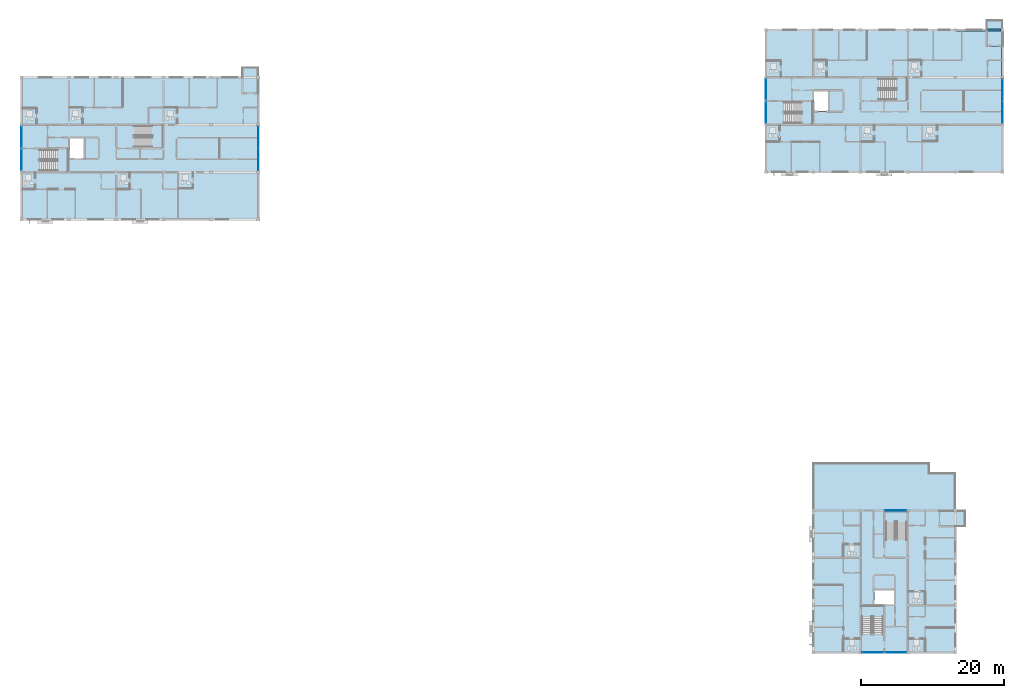
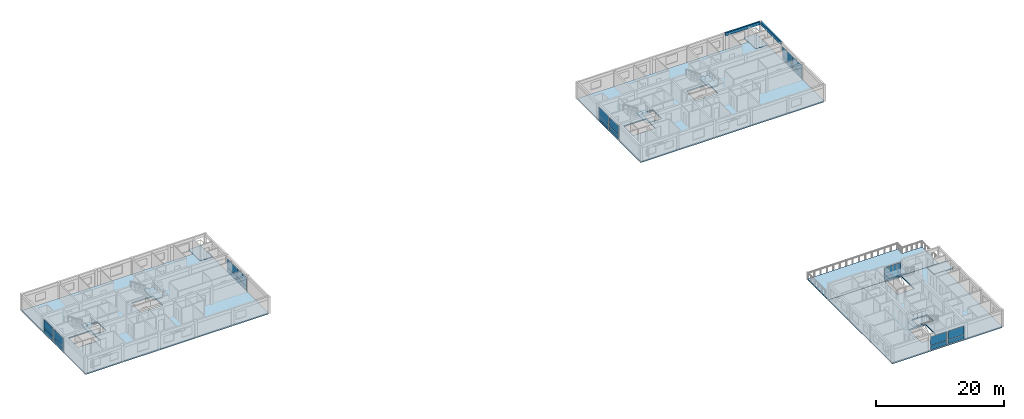
# One storey, part 15 of 37: 22 plates, 13 slabs, 2 beams, 15 elements without a shape of their own.
"""IFC4 building model written with IfcOpenShell, lengths in metres."""

from ifc_helpers import new_model, si_unit, direction, frame, origin, origin_2d, place, context, subcontext, project, spatial, polyline, rectangle, outline, extrude, material, layer, layer_set, material_profile, profile_set, type_object, element, aggregate, save


model = new_model("IFC4")

# Units and contexts
model_context = context("Model", 3, precision=1e-05, world=origin(), true_north=direction((0.0, 1.0)))
body_context = subcontext(model_context, "Body", "Model", "MODEL_VIEW")
ifc_project = project(units=[si_unit("LENGTHUNIT", "METRE"), si_unit("AREAUNIT", "SQUARE_METRE"), si_unit("VOLUMEUNIT", "CUBIC_METRE"), si_unit("PLANEANGLEUNIT", "RADIAN"), si_unit("MASSUNIT", "GRAM", prefix="KILO")], contexts=[model_context])

# Site, building, storey
site_placement = place(None, origin())
site = spatial("IfcSite", under=ifc_project, at=site_placement, CompositionType="ELEMENT")
building_placement = place(site_placement, origin())
building = spatial("IfcBuilding", under=site, at=building_placement, Name="Kernevlak Ridge Housing Community", CompositionType="ELEMENT")
storey_placement = place(building_placement, frame((0.0, 0.0, 37.199951171875)))
storey = spatial("IfcBuildingStorey", under=building, at=storey_placement, Name="L11", CompositionType="ELEMENT", Elevation=37.199951171875)

# Beams
ifc_material_1 = material(Name="Concrete C35/45", Category="concrete")
ifc_material_profile = material_profile(ifc_material_1, rectangle(XDim=0.300048828125, YDim=0.550048828125, at=origin_2d()), Name="RC 300x550")
ifc_profile_set = profile_set([ifc_material_profile], Name="Concrete C35/45")
beam_type = type_object("IfcBeamType", Name="SP-01", PredefinedType="SPANDREL", material=ifc_profile_set)
for number, where, z_axis, x_axis, name in (
    (1, (146.0, 102.39990234375, 2.925048828125), (1.0, 0.0, 0.0), (0.0, 1.0, 0.0), "Beam SP-01 L11 882"),
    (2, (152.39990234375, 96.0, 2.925048828125), (0.0, 1.0, 0.0), (-1.0, 0.0, 0.0), "Beam SP-01 L11 888"),
):
    element("IfcBeam", number, at=place(storey_placement, frame(where, z_axis=z_axis, x_axis=x_axis)), inside=storey, type_object=beam_type, Name=name, PredefinedType="SPANDREL", context=body_context, shape_type="SweptSolid", body=[
        extrude(rectangle(XDim=0.300048828125, YDim=0.550048828125, at=origin_2d()), origin(), (0.0, 0.0, 1.0), 6.199951171875),
    ])

# Curtain wall, plates
ifc_material_2 = material(Name="Aluminium EN AW-6060 anodised and laminated glass", Category="aluminium")
curtain_wall_type_1 = type_object("IfcCurtainWallType", Name="CW-11", PredefinedType="NOTDEFINED", material=ifc_material_2)
curtain_wall_1_placement = place(storey_placement, origin())
curtain_wall_1 = element("IfcCurtainWall", 3, at=curtain_wall_1_placement, inside=storey, type_object=curtain_wall_type_1, Name="Curtain wall CW-11 CW-L11-090", PredefinedType="NOTDEFINED")
ifc_material_3 = material(Name="Aluminium EN AW-5005 enamelled panel", Category="aluminium")
ifc_layer_1 = layer(ifc_material_3, 0.033935546875, Name="Aluminium EN AW-5005 enamelled panel")
ifc_layer_set_1 = layer_set([ifc_layer_1], Name="Aluminium EN AW-5005 enamelled panel")
plate_type_1 = type_object("IfcPlateType", Name="CP-03", PredefinedType="CURTAIN_PANEL", material=ifc_layer_set_1)
plate_1_placement = place(storey_placement, frame((152.39990234375, 90.9638671875, 0.054931640625), z_axis=(0.0, 0.0, 1.0), x_axis=(0.0, 1.0, 0.0)))
plate_1 = element("IfcPlate", 4, at=plate_1_placement, type_object=plate_type_1, Name="CW-11 panel 1.1", PredefinedType="CURTAIN_PANEL", context=body_context, shape_type="SweptSolid", body=[
    extrude(rectangle(XDim=3.017578125, YDim=0.033935546875, at=origin_2d()), origin(), (0.0, 0.0, 1.0), 0.767578125),
])
plate_2_placement = place(storey_placement, frame((152.39990234375, 94.0361328125, 0.054931640625), z_axis=(0.0, 0.0, 1.0), x_axis=(0.0, 1.0, 0.0)))
plate_2 = element("IfcPlate", 5, at=plate_2_placement, type_object=plate_type_1, Name="CW-11 panel 2.1", PredefinedType="CURTAIN_PANEL", context=body_context, shape_type="SweptSolid", body=[
    extrude(rectangle(XDim=3.017578125, YDim=0.033935546875, at=origin_2d()), origin(), (0.0, 0.0, 1.0), 0.767578125),
])

# Curtain wall, plate
curtain_wall_type_2 = type_object("IfcCurtainWallType", Name="CW-12", PredefinedType="NOTDEFINED", material=ifc_material_2)
curtain_wall_2_placement = place(storey_placement, origin())
curtain_wall_2 = element("IfcCurtainWall", 6, at=curtain_wall_2_placement, inside=storey, type_object=curtain_wall_type_2, Name="Curtain wall CW-12 CW-L11-134", PredefinedType="NOTDEFINED")
plate_3_placement = place(storey_placement, frame((137.5048828125, 15.60009765625, 0.065185546875), z_axis=(0.0, 0.0, 1.0), x_axis=(1.0, 0.0, 0.0)))
plate_3 = element("IfcPlate", 7, at=plate_3_placement, type_object=plate_type_1, Name="CW-12 panel 1.1", PredefinedType="CURTAIN_PANEL", context=body_context, shape_type="SweptSolid", body=[
    extrude(rectangle(XDim=2.860107421875, YDim=0.033935546875, at=origin_2d()), origin(), (0.0, 0.0, 1.0), 0.75244140625),
])

curtain_wall_type_3 = type_object("IfcCurtainWallType", Name="CW-01", PredefinedType="NOTDEFINED", material=ifc_material_2)
curtain_wall_3_placement = place(storey_placement, origin())
curtain_wall_3 = element("IfcCurtainWall", 8, at=curtain_wall_3_placement, inside=storey, type_object=curtain_wall_type_3, Name="Curtain wall CW-01 CW-L11-034", PredefinedType="NOTDEFINED")
ifc_layer_2 = layer(ifc_material_3, 0.0419921875, Name="Aluminium EN AW-5005 enamelled panel")
ifc_layer_set_2 = layer_set([ifc_layer_2], Name="Aluminium EN AW-5005 enamelled panel")
plate_type_2 = type_object("IfcPlateType", Name="CP-05", PredefinedType="CURTAIN_PANEL", material=ifc_layer_set_2)
plate_4_placement = place(storey_placement, frame((15.60009765625, 84.3076171875, 0.06005859375), z_axis=(0.0, 0.0, 1.0), x_axis=(0.0, 1.0, 0.0)))
plate_4 = element("IfcPlate", 9, at=plate_4_placement, type_object=plate_type_2, Name="CW-01 panel 1.1", PredefinedType="CURTAIN_PANEL", context=body_context, shape_type="SweptSolid", body=[
    extrude(rectangle(XDim=2.844970703125, YDim=0.0419921875, at=origin_2d()), origin(), (0.0, 0.0, 1.0), 0.760009765625),
])

curtain_wall_type_4 = type_object("IfcCurtainWallType", Name="CW-06", PredefinedType="NOTDEFINED", material=ifc_material_2)
curtain_wall_4_placement = place(storey_placement, origin())
curtain_wall_4 = element("IfcCurtainWall", 10, at=curtain_wall_4_placement, inside=storey, type_object=curtain_wall_type_4, Name="Curtain wall CW-06 CW-L11-035", PredefinedType="NOTDEFINED")
ifc_material_4 = material(Name="Aluminium EN AW-5005 insulated panel", Category="aluminium")
ifc_layer_3 = layer(ifc_material_4, 0.0458984375, Name="Aluminium EN AW-5005 insulated panel")
ifc_layer_set_3 = layer_set([ifc_layer_3], Name="Aluminium EN AW-5005 insulated panel")
plate_type_3 = type_object("IfcPlateType", Name="CP-06", PredefinedType="CURTAIN_PANEL", material=ifc_layer_set_3)
plate_5_placement = place(storey_placement, frame((15.60009765625, 87.492431640625, 0.065185546875), z_axis=(0.0, 0.0, 1.0), x_axis=(0.0, 1.0, 0.0)))
plate_5 = element("IfcPlate", 11, at=plate_5_placement, type_object=plate_type_3, Name="CW-06 panel 1.1", PredefinedType="CURTAIN_PANEL", context=body_context, shape_type="SweptSolid", body=[
    extrude(rectangle(XDim=2.8349609375, YDim=0.0458984375, at=origin_2d()), origin(), (0.0, 0.0, 1.0), 0.75244140625),
])

curtain_wall_type_5 = type_object("IfcCurtainWallType", Name="CW-04", PredefinedType="NOTDEFINED", material=ifc_material_2)
curtain_wall_5_placement = place(storey_placement, origin())
curtain_wall_5 = element("IfcCurtainWall", 12, at=curtain_wall_5_placement, inside=storey, type_object=curtain_wall_type_5, Name="Curtain wall CW-04 CW-L11-088", PredefinedType="NOTDEFINED")
plate_6_placement = place(storey_placement, frame((119.39990234375, 90.89501953125, 0.06005859375), z_axis=(0.0, 0.0, 1.0), x_axis=(0.0, 1.0, 0.0)))
plate_6 = element("IfcPlate", 13, at=plate_6_placement, type_object=plate_type_3, Name="CW-04 panel 1.1", PredefinedType="CURTAIN_PANEL", context=body_context, shape_type="SweptSolid", body=[
    extrude(rectangle(XDim=2.8701171875, YDim=0.0458984375, at=origin_2d()), origin(), (0.0, 0.0, 1.0), 0.760009765625),
])

# Curtain wall, plates
curtain_wall_type_6 = type_object("IfcCurtainWallType", Name="CW-09", PredefinedType="NOTDEFINED", material=ifc_material_2)
curtain_wall_6_placement = place(storey_placement, origin())
curtain_wall_6 = element("IfcCurtainWall", 14, at=curtain_wall_6_placement, inside=storey, type_object=curtain_wall_type_6, Name="Curtain wall CW-09 CW-L11-036", PredefinedType="NOTDEFINED")
ifc_layer_4 = layer(ifc_material_4, 0.050048828125, Name="Aluminium EN AW-5005 insulated panel")
ifc_layer_set_4 = layer_set([ifc_layer_4], Name="Aluminium EN AW-5005 insulated panel")
plate_type_4 = type_object("IfcPlateType", Name="CP-07", PredefinedType="CURTAIN_PANEL", material=ifc_layer_set_4)
plate_7_placement = place(storey_placement, frame((48.60009765625, 84.376220703125, 0.054931640625), z_axis=(0.0, 0.0, 1.0), x_axis=(0.0, 1.0, 0.0)))
plate_7 = element("IfcPlate", 15, at=plate_7_placement, type_object=plate_type_4, Name="CW-09 panel 1.1", PredefinedType="CURTAIN_PANEL", context=body_context, shape_type="SweptSolid", body=[
    extrude(rectangle(XDim=2.992431640625, YDim=0.050048828125, at=origin_2d()), origin(), (0.0, 0.0, 1.0), 0.767578125),
])
plate_8_placement = place(storey_placement, frame((48.60009765625, 87.423828125, 0.054931640625), z_axis=(0.0, 0.0, 1.0), x_axis=(0.0, 1.0, 0.0)))
plate_8 = element("IfcPlate", 16, at=plate_8_placement, type_object=plate_type_4, Name="CW-09 panel 2.1", PredefinedType="CURTAIN_PANEL", context=body_context, shape_type="SweptSolid", body=[
    extrude(rectangle(XDim=2.992431640625, YDim=0.050048828125, at=origin_2d()), origin(), (0.0, 0.0, 1.0), 0.767578125),
])

# Curtain wall, plate
curtain_wall_7_placement = place(storey_placement, origin())
curtain_wall_7 = element("IfcCurtainWall", 17, at=curtain_wall_7_placement, inside=storey, type_object=curtain_wall_type_6, Name="Curtain wall CW-09 CW-L11-089", PredefinedType="NOTDEFINED")
plate_9_placement = place(storey_placement, frame((119.39990234375, 94.10498046875, 0.065185546875), z_axis=(0.0, 0.0, 1.0), x_axis=(0.0, 1.0, 0.0)))
plate_9 = element("IfcPlate", 18, at=plate_9_placement, type_object=plate_type_4, Name="CW-09 panel 1.1", PredefinedType="CURTAIN_PANEL", context=body_context, shape_type="SweptSolid", body=[
    extrude(rectangle(XDim=2.860107421875, YDim=0.050048828125, at=origin_2d()), origin(), (0.0, 0.0, 1.0), 0.75244140625),
])

curtain_wall_type_7 = type_object("IfcCurtainWallType", Name="CW-07", PredefinedType="NOTDEFINED", material=ifc_material_2)
curtain_wall_8_placement = place(storey_placement, origin())
curtain_wall_8 = element("IfcCurtainWall", 19, at=curtain_wall_8_placement, inside=storey, type_object=curtain_wall_type_7, Name="Curtain wall CW-07 CW-L11-133", PredefinedType="NOTDEFINED")
plate_10_placement = place(storey_placement, frame((134.294921875, 15.60009765625, 0.06005859375), z_axis=(0.0, 0.0, 1.0), x_axis=(1.0, 0.0, 0.0)))
plate_10 = element("IfcPlate", 20, at=plate_10_placement, type_object=plate_type_4, Name="CW-07 panel 1.1", PredefinedType="CURTAIN_PANEL", context=body_context, shape_type="SweptSolid", body=[
    extrude(rectangle(XDim=2.8701171875, YDim=0.050048828125, at=origin_2d()), origin(), (0.0, 0.0, 1.0), 0.760009765625),
])

curtain_wall_9_placement = place(storey_placement, origin())
curtain_wall_9 = element("IfcCurtainWall", 21, at=curtain_wall_9_placement, inside=storey, type_object=curtain_wall_type_2, Name="Curtain wall CW-12 CW-L11-135", PredefinedType="NOTDEFINED")
plate_11_placement = place(storey_placement, frame((137.47509765625, 35.39990234375, 0.054931640625), z_axis=(0.0, 0.0, 1.0), x_axis=(1.0, 0.0, 0.0)))
plate_11 = element("IfcPlate", 22, at=plate_11_placement, type_object=plate_type_4, Name="CW-12 panel 1.1", PredefinedType="CURTAIN_PANEL", context=body_context, shape_type="SweptSolid", body=[
    extrude(rectangle(XDim=2.93994140625, YDim=0.050048828125, at=origin_2d()), origin(), (0.0, 0.0, 1.0), 0.767578125),
])

# Plate
ifc_material_5 = material(Name="Low-iron clear staircase glazing panel", Category="glass")
ifc_layer_5 = layer(ifc_material_5, 0.031982421875, Name="Low-iron clear staircase glazing panel")
ifc_layer_set_5 = layer_set([ifc_layer_5], Name="Low-iron clear staircase glazing panel")
plate_type_5 = type_object("IfcPlateType", Name="CP-08", PredefinedType="CURTAIN_PANEL", material=ifc_layer_set_5)
plate_12_placement = place(storey_placement, frame((15.60009765625, 84.3076171875, 0.8798828125), z_axis=(0.0, 0.0, 1.0), x_axis=(0.0, 1.0, 0.0)))
plate_12 = element("IfcPlate", 23, at=plate_12_placement, type_object=plate_type_5, Name="CW-01 panel 1.2", PredefinedType="CURTAIN_PANEL", context=body_context, shape_type="SweptSolid", body=[
    extrude(rectangle(XDim=2.844970703125, YDim=0.031982421875, at=origin_2d()), origin(), (0.0, 0.0, 1.0), 1.659912109375),
])

aggregate(curtain_wall_3, [plate_4, plate_12])

plate_13_placement = place(storey_placement, frame((15.60009765625, 87.492431640625, 0.88232421875), z_axis=(0.0, 0.0, 1.0), x_axis=(0.0, 1.0, 0.0)))
plate_13 = element("IfcPlate", 24, at=plate_13_placement, type_object=plate_type_5, Name="CW-06 panel 1.2", PredefinedType="CURTAIN_PANEL", context=body_context, shape_type="SweptSolid", body=[
    extrude(rectangle(XDim=2.8349609375, YDim=0.031982421875, at=origin_2d()), origin(), (0.0, 0.0, 1.0), 1.652587890625),
])

aggregate(curtain_wall_4, [plate_5, plate_13])

plate_14_placement = place(storey_placement, frame((48.60009765625, 84.376220703125, 0.87744140625), z_axis=(0.0, 0.0, 1.0), x_axis=(0.0, 1.0, 0.0)))
plate_14 = element("IfcPlate", 25, at=plate_14_placement, type_object=plate_type_5, Name="CW-09 panel 1.2", PredefinedType="CURTAIN_PANEL", context=body_context, shape_type="SweptSolid", body=[
    extrude(rectangle(XDim=2.992431640625, YDim=0.031982421875, at=origin_2d()), origin(), (0.0, 0.0, 1.0), 1.66748046875),
])

plate_15_placement = place(storey_placement, frame((48.60009765625, 87.423828125, 0.87744140625), z_axis=(0.0, 0.0, 1.0), x_axis=(0.0, 1.0, 0.0)))
plate_15 = element("IfcPlate", 26, at=plate_15_placement, type_object=plate_type_5, Name="CW-09 panel 2.2", PredefinedType="CURTAIN_PANEL", context=body_context, shape_type="SweptSolid", body=[
    extrude(rectangle(XDim=2.992431640625, YDim=0.031982421875, at=origin_2d()), origin(), (0.0, 0.0, 1.0), 1.66748046875),
])

aggregate(curtain_wall_6, [plate_7, plate_14, plate_8, plate_15])

plate_16_placement = place(storey_placement, frame((119.39990234375, 90.89501953125, 0.8798828125), z_axis=(0.0, 0.0, 1.0), x_axis=(0.0, 1.0, 0.0)))
plate_16 = element("IfcPlate", 27, at=plate_16_placement, type_object=plate_type_5, Name="CW-04 panel 1.2", PredefinedType="CURTAIN_PANEL", context=body_context, shape_type="SweptSolid", body=[
    extrude(rectangle(XDim=2.8701171875, YDim=0.031982421875, at=origin_2d()), origin(), (0.0, 0.0, 1.0), 1.659912109375),
])

aggregate(curtain_wall_5, [plate_6, plate_16])

plate_17_placement = place(storey_placement, frame((119.39990234375, 94.10498046875, 0.88232421875), z_axis=(0.0, 0.0, 1.0), x_axis=(0.0, 1.0, 0.0)))
plate_17 = element("IfcPlate", 28, at=plate_17_placement, type_object=plate_type_5, Name="CW-09 panel 1.2", PredefinedType="CURTAIN_PANEL", context=body_context, shape_type="SweptSolid", body=[
    extrude(rectangle(XDim=2.860107421875, YDim=0.031982421875, at=origin_2d()), origin(), (0.0, 0.0, 1.0), 1.652587890625),
])

aggregate(curtain_wall_7, [plate_9, plate_17])

plate_18_placement = place(storey_placement, frame((152.39990234375, 90.9638671875, 0.87744140625), z_axis=(0.0, 0.0, 1.0), x_axis=(0.0, 1.0, 0.0)))
plate_18 = element("IfcPlate", 29, at=plate_18_placement, type_object=plate_type_5, Name="CW-11 panel 1.2", PredefinedType="CURTAIN_PANEL", context=body_context, shape_type="SweptSolid", body=[
    extrude(rectangle(XDim=3.017578125, YDim=0.031982421875, at=origin_2d()), origin(), (0.0, 0.0, 1.0), 1.66748046875),
])

plate_19_placement = place(storey_placement, frame((152.39990234375, 94.0361328125, 0.87744140625), z_axis=(0.0, 0.0, 1.0), x_axis=(0.0, 1.0, 0.0)))
plate_19 = element("IfcPlate", 30, at=plate_19_placement, type_object=plate_type_5, Name="CW-11 panel 2.2", PredefinedType="CURTAIN_PANEL", context=body_context, shape_type="SweptSolid", body=[
    extrude(rectangle(XDim=3.017578125, YDim=0.031982421875, at=origin_2d()), origin(), (0.0, 0.0, 1.0), 1.66748046875),
])

aggregate(curtain_wall_1, [plate_1, plate_18, plate_2, plate_19])

plate_20_placement = place(storey_placement, frame((134.294921875, 15.60009765625, 0.8798828125), z_axis=(0.0, 0.0, 1.0), x_axis=(1.0, 0.0, 0.0)))
plate_20 = element("IfcPlate", 31, at=plate_20_placement, type_object=plate_type_5, Name="CW-07 panel 1.2", PredefinedType="CURTAIN_PANEL", context=body_context, shape_type="SweptSolid", body=[
    extrude(rectangle(XDim=2.8701171875, YDim=0.031982421875, at=origin_2d()), origin(), (0.0, 0.0, 1.0), 1.659912109375),
])

aggregate(curtain_wall_8, [plate_10, plate_20])

plate_21_placement = place(storey_placement, frame((137.5048828125, 15.60009765625, 0.88232421875), z_axis=(0.0, 0.0, 1.0), x_axis=(1.0, 0.0, 0.0)))
plate_21 = element("IfcPlate", 32, at=plate_21_placement, type_object=plate_type_5, Name="CW-12 panel 1.2", PredefinedType="CURTAIN_PANEL", context=body_context, shape_type="SweptSolid", body=[
    extrude(rectangle(XDim=2.860107421875, YDim=0.031982421875, at=origin_2d()), origin(), (0.0, 0.0, 1.0), 1.652587890625),
])

aggregate(curtain_wall_2, [plate_3, plate_21])

plate_22_placement = place(storey_placement, frame((137.47509765625, 35.39990234375, 0.87744140625), z_axis=(0.0, 0.0, 1.0), x_axis=(1.0, 0.0, 0.0)))
plate_22 = element("IfcPlate", 33, at=plate_22_placement, type_object=plate_type_5, Name="CW-12 panel 1.2", PredefinedType="CURTAIN_PANEL", context=body_context, shape_type="SweptSolid", body=[
    extrude(rectangle(XDim=2.93994140625, YDim=0.031982421875, at=origin_2d()), origin(), (0.0, 0.0, 1.0), 1.66748046875),
])

aggregate(curtain_wall_9, [plate_11, plate_22])

# Slabs
ifc_layer_6 = layer(ifc_material_1, 0.199951171875, Name="Concrete C35/45")
ifc_layer_set_6 = layer_set([ifc_layer_6], Name="Concrete C35/45")
slab_type_1 = type_object("IfcSlabType", Name="SL-05", PredefinedType="FLOOR", material=ifc_layer_set_6)
slab_1_placement = place(storey_placement, frame((0.0, 0.0, -0.199951171875)))
element("IfcSlab", 34, at=slab_1_placement, inside=storey, type_object=slab_type_1, Name="Block A L11 corner balcony deck slab", PredefinedType="FLOOR", context=body_context, shape_type="SweptSolid", body=[
    extrude(outline(polyline([(46.39990234375, 93.60009765625), (48.60009765625, 93.60009765625), (48.60009765625, 97.199951171875), (46.39990234375, 97.199951171875), (46.39990234375, 93.60009765625)])), origin(), (0.0, 0.0, 1.0), 0.199951171875),
])
slab_2_placement = place(storey_placement, frame((0.0, 0.0, -0.199951171875)))
element("IfcSlab", 35, at=slab_2_placement, inside=storey, type_object=slab_type_1, Name="Block B L11 corner balcony deck slab", PredefinedType="FLOOR", context=body_context, shape_type="SweptSolid", body=[
    extrude(outline(polyline([(150.199951171875, 100.199951171875), (152.39990234375, 100.199951171875), (152.39990234375, 103.800048828125), (150.199951171875, 103.800048828125), (150.199951171875, 100.199951171875)])), origin(), (0.0, 0.0, 1.0), 0.199951171875),
])
slab_3_placement = place(storey_placement, frame((0.0, 0.0, -0.199951171875)))
element("IfcSlab", 36, at=slab_3_placement, inside=storey, type_object=slab_type_1, Name="Block C L11 corner balcony deck slab", PredefinedType="FLOOR", context=body_context, shape_type="SweptSolid", body=[
    extrude(outline(polyline([(147.199951171875, 33.199951171875), (147.199951171875, 35.39990234375), (143.60009765625, 35.39990234375), (143.60009765625, 33.199951171875), (147.199951171875, 33.199951171875)])), origin(), (0.0, 0.0, 1.0), 0.199951171875),
])

# Stair, slab
stair_type_1 = type_object("IfcStairType", Name="SR-06", PredefinedType="HALF_TURN_STAIR", material=ifc_material_1)
stair_1_placement = place(storey_placement, origin())
stair_1 = element("IfcStair", 37, at=stair_1_placement, inside=storey, type_object=stair_type_1, Name="Stair ST-A1 L11", PredefinedType="HALF_TURN_STAIR")
ifc_layer_7 = layer(ifc_material_1, 0.18994140625, Name="Concrete C35/45")
ifc_layer_set_7 = layer_set([ifc_layer_7], Name="Concrete C35/45")
slab_type_2 = type_object("IfcSlabType", Name="SL-13", PredefinedType="LANDING", material=ifc_layer_set_7)
slab_4_placement = place(storey_placement, frame((0.0, 0.0, 1.41015625)))
slab_4 = element("IfcSlab", 38, at=slab_4_placement, type_object=slab_type_2, Name="SR-06 landing 1", PredefinedType="LANDING", context=body_context, shape_type="SweptSolid", body=[
    extrude(outline(polyline([(20.5400390625, 82.64990234375), (22.14990234375, 82.64990234375), (22.14990234375, 85.85009765625), (20.5400390625, 85.85009765625), (20.5400390625, 82.64990234375)])), origin(), (0.0, 0.0, 1.0), 0.18994140625),
])
aggregate(stair_1, [slab_4])

stair_2_placement = place(storey_placement, origin())
stair_2 = element("IfcStair", 39, at=stair_2_placement, inside=storey, type_object=stair_type_1, Name="Stair ST-A2 L11", PredefinedType="HALF_TURN_STAIR")
slab_5_placement = place(storey_placement, frame((0.0, 0.0, 1.41015625)))
slab_5 = element("IfcSlab", 40, at=slab_5_placement, type_object=slab_type_2, Name="SR-06 landing 1", PredefinedType="LANDING", context=body_context, shape_type="SweptSolid", body=[
    extrude(outline(polyline([(33.739990234375, 85.949951171875), (35.35009765625, 85.949951171875), (35.35009765625, 89.14990234375), (33.739990234375, 89.14990234375), (33.739990234375, 85.949951171875)])), origin(), (0.0, 0.0, 1.0), 0.18994140625),
])
aggregate(stair_2, [slab_5])

stair_type_2 = type_object("IfcStairType", Name="SR-01", PredefinedType="HALF_TURN_STAIR", material=ifc_material_1)
stair_3_placement = place(storey_placement, origin())
stair_3 = element("IfcStair", 41, at=stair_3_placement, inside=storey, type_object=stair_type_2, Name="Stair ST-B1 L11", PredefinedType="HALF_TURN_STAIR")
slab_6_placement = place(storey_placement, frame((0.0, 0.0, 1.41015625)))
slab_6 = element("IfcSlab", 42, at=slab_6_placement, type_object=slab_type_2, Name="SR-01 landing 1", PredefinedType="LANDING", context=body_context, shape_type="SweptSolid", body=[
    extrude(outline(polyline([(124.340087890625, 89.25), (125.949951171875, 89.25), (125.949951171875, 92.449951171875), (124.340087890625, 92.449951171875), (124.340087890625, 89.25)])), origin(), (0.0, 0.0, 1.0), 0.18994140625),
])
aggregate(stair_3, [slab_6])

stair_4_placement = place(storey_placement, origin())
stair_4 = element("IfcStair", 43, at=stair_4_placement, inside=storey, type_object=stair_type_2, Name="Stair ST-B2 L11", PredefinedType="HALF_TURN_STAIR")
slab_7_placement = place(storey_placement, frame((0.0, 0.0, 1.41015625)))
slab_7 = element("IfcSlab", 44, at=slab_7_placement, type_object=slab_type_2, Name="SR-01 landing 1", PredefinedType="LANDING", context=body_context, shape_type="SweptSolid", body=[
    extrude(outline(polyline([(137.5400390625, 92.550048828125), (139.14990234375, 92.550048828125), (139.14990234375, 95.75), (137.5400390625, 95.75), (137.5400390625, 92.550048828125)])), origin(), (0.0, 0.0, 1.0), 0.18994140625),
])
aggregate(stair_4, [slab_7])

stair_5_placement = place(storey_placement, origin())
stair_5 = element("IfcStair", 45, at=stair_5_placement, inside=storey, type_object=stair_type_1, Name="Stair ST-C1 L11", PredefinedType="HALF_TURN_STAIR")
slab_8_placement = place(storey_placement, frame((0.0, 0.0, 1.41015625)))
slab_8 = element("IfcSlab", 46, at=slab_8_placement, type_object=slab_type_2, Name="SR-06 landing 1", PredefinedType="LANDING", context=body_context, shape_type="SweptSolid", body=[
    extrude(outline(polyline([(135.85009765625, 20.5400390625), (135.85009765625, 22.14990234375), (132.64990234375, 22.14990234375), (132.64990234375, 20.5400390625), (135.85009765625, 20.5400390625)])), origin(), (0.0, 0.0, 1.0), 0.18994140625),
])
aggregate(stair_5, [slab_8])

stair_6_placement = place(storey_placement, origin())
stair_6 = element("IfcStair", 47, at=stair_6_placement, inside=storey, type_object=stair_type_1, Name="Stair ST-C2 L11", PredefinedType="HALF_TURN_STAIR")
slab_9_placement = place(storey_placement, frame((0.0, 0.0, 1.41015625)))
slab_9 = element("IfcSlab", 48, at=slab_9_placement, type_object=slab_type_2, Name="SR-06 landing 1", PredefinedType="LANDING", context=body_context, shape_type="SweptSolid", body=[
    extrude(outline(polyline([(139.14990234375, 33.739990234375), (139.14990234375, 35.35009765625), (135.949951171875, 35.35009765625), (135.949951171875, 33.739990234375), (139.14990234375, 33.739990234375)])), origin(), (0.0, 0.0, 1.0), 0.18994140625),
])
aggregate(stair_6, [slab_9])

# Slabs
ifc_layer_8 = layer(ifc_material_1, 0.22998046875, Name="Concrete C35/45")
ifc_layer_set_8 = layer_set([ifc_layer_8], Name="Concrete C35/45")
slab_type_3 = type_object("IfcSlabType", Name="SL-16", PredefinedType="FLOOR", material=ifc_layer_set_8)
slab_10_placement = place(storey_placement, frame((0.0, 0.0, -0.22998046875)))
element("IfcSlab", 49, at=slab_10_placement, inside=storey, type_object=slab_type_3, Name="Block A level L11 floor slab", PredefinedType="FLOOR", context=body_context, shape_type="SweptSolid", body=[
    extrude(outline(polyline([(15.60009765625, 76.0), (48.60009765625, 76.0), (48.60009765625, 93.60009765625), (46.39990234375, 93.60009765625), (46.39990234375, 95.800048828125), (15.60009765625, 95.800048828125), (15.60009765625, 76.0)]), holes=[polyline([(18.139892578125, 85.75), (22.1201171875, 85.75), (22.1201171875, 82.75), (18.139892578125, 82.75), (18.139892578125, 85.75)]), polyline([(31.340087890625, 89.050048828125), (35.320068359375, 89.050048828125), (35.320068359375, 86.050048828125), (31.340087890625, 86.050048828125), (31.340087890625, 89.050048828125)]), polyline([(22.320068359375, 87.280029296875), (24.280029296875, 87.280029296875), (24.280029296875, 84.52001953125), (22.320068359375, 84.52001953125), (22.320068359375, 87.280029296875)])]), origin(), (0.0, 0.0, 1.0), 0.22998046875),
])
slab_11_placement = place(storey_placement, frame((0.0, 0.0, -0.22998046875)))
element("IfcSlab", 50, at=slab_11_placement, inside=storey, type_object=slab_type_3, Name="Block B level L11 floor slab", PredefinedType="FLOOR", context=body_context, shape_type="SweptSolid", body=[
    extrude(outline(polyline([(119.39990234375, 82.60009765625), (152.39990234375, 82.60009765625), (152.39990234375, 100.199951171875), (150.199951171875, 100.199951171875), (150.199951171875, 102.39990234375), (119.39990234375, 102.39990234375), (119.39990234375, 82.60009765625)]), holes=[polyline([(121.93994140625, 92.35009765625), (125.919921875, 92.35009765625), (125.919921875, 89.35009765625), (121.93994140625, 89.35009765625), (121.93994140625, 92.35009765625)]), polyline([(135.139892578125, 95.64990234375), (139.1201171875, 95.64990234375), (139.1201171875, 92.64990234375), (135.139892578125, 92.64990234375), (135.139892578125, 95.64990234375)]), polyline([(126.1201171875, 93.8798828125), (128.080078125, 93.8798828125), (128.080078125, 91.1201171875), (126.1201171875, 91.1201171875), (126.1201171875, 93.8798828125)])]), origin(), (0.0, 0.0, 1.0), 0.22998046875),
])
slab_12_placement = place(storey_placement, frame((0.0, 0.0, -0.22998046875)))
element("IfcSlab", 51, at=slab_12_placement, inside=storey, type_object=slab_type_3, Name="Block C level L11 floor slab", PredefinedType="FLOOR", context=body_context, shape_type="SweptSolid", body=[
    extrude(outline(polyline([(145.800048828125, 15.60009765625), (145.800048828125, 33.199951171875), (143.60009765625, 33.199951171875), (143.60009765625, 35.39990234375), (126.0, 35.39990234375), (126.0, 15.60009765625), (145.800048828125, 15.60009765625)]), holes=[polyline([(132.75, 18.139892578125), (132.75, 22.1201171875), (135.75, 22.1201171875), (135.75, 18.139892578125), (132.75, 18.139892578125)]), polyline([(136.050048828125, 31.340087890625), (136.050048828125, 35.320068359375), (139.050048828125, 35.320068359375), (139.050048828125, 31.340087890625), (136.050048828125, 31.340087890625)]), polyline([(134.52001953125, 24.280029296875), (137.280029296875, 24.280029296875), (137.280029296875, 22.320068359375), (134.52001953125, 22.320068359375), (134.52001953125, 24.280029296875)])]), origin(), (0.0, 0.0, 1.0), 0.22998046875),
])
ifc_layer_9 = layer(ifc_material_1, 0.25, Name="Concrete C35/45")
ifc_layer_set_9 = layer_set([ifc_layer_9], Name="Concrete C35/45")
slab_type_4 = type_object("IfcSlabType", Name="SL-17", PredefinedType="ROOF", material=ifc_layer_set_9)
slab_13_placement = place(storey_placement, frame((0.0, 0.0, -0.25)))
element("IfcSlab", 52, at=slab_13_placement, inside=storey, type_object=slab_type_4, Name="Block C L11 setback roof terrace slab", PredefinedType="ROOF", context=body_context, shape_type="SweptSolid", body=[
    extrude(outline(polyline([(145.800048828125, 35.39990234375), (145.800048828125, 40.60009765625), (142.199951171875, 40.60009765625), (142.199951171875, 42.0), (126.0, 42.0), (126.0, 35.39990234375), (145.800048828125, 35.39990234375)])), origin(), (0.0, 0.0, 1.0), 0.25),
])

save(model, "model.ifc")
